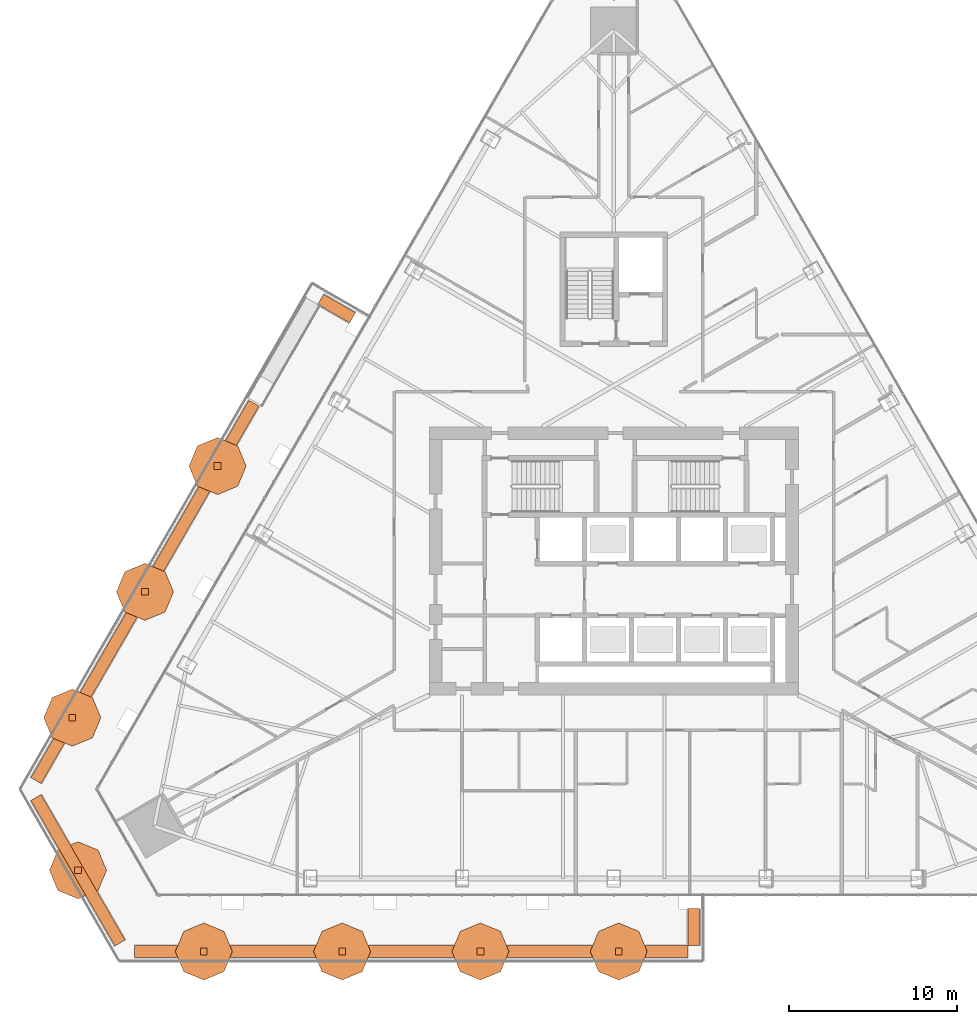
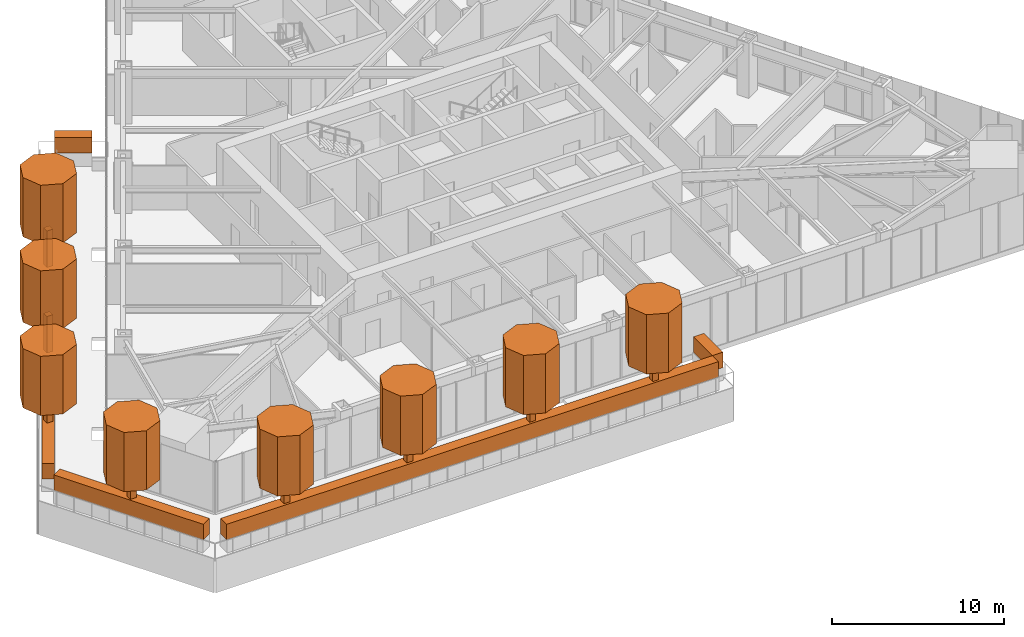
# One storey, part 32 of 32: 21 geographic elements.
"""IFC4 building model written with IfcOpenShell, lengths in metres."""

from ifc_helpers import new_model, si_unit, direction, frame, origin, origin_2d, place, context, subcontext, project, spatial, polyline, rectangle, outline, extrude, material, type_object, element, save


model = new_model("IFC4")

# Units and contexts
model_context = context("Model", 3, precision=1e-05, world=origin(), true_north=direction((0.0, 1.0)))
body_context = subcontext(model_context, "Body", "Model", "MODEL_VIEW")
ifc_project = project(units=[si_unit("LENGTHUNIT", "METRE"), si_unit("AREAUNIT", "SQUARE_METRE"), si_unit("VOLUMEUNIT", "CUBIC_METRE"), si_unit("PLANEANGLEUNIT", "RADIAN"), si_unit("MASSUNIT", "GRAM", prefix="KILO")], contexts=[model_context])

# Site, building, storey
site_placement = place(None, origin())
site = spatial("IfcSite", under=ifc_project, at=site_placement, CompositionType="ELEMENT")
building_placement = place(site_placement, origin())
building = spatial("IfcBuilding", under=site, at=building_placement, Name="Firuza Gate Tower and Library", CompositionType="ELEMENT")
storey_placement = place(building_placement, frame((0.0, 0.0, 163.60009765625)))
storey = spatial("IfcBuildingStorey", under=building, at=storey_placement, Name="L37", CompositionType="ELEMENT", Elevation=163.60009765625)

# Geographic elements
ifc_material_1 = material(Name="Foliage")
geographic_element_type_1 = type_object("IfcGeographicElementType", Name="Planted hedge", PredefinedType="USERDEFINED", material=ifc_material_1)
geographic_element_1_placement = place(storey_placement, frame((58.469970703125, 90.046630859375, 0.89990234375), z_axis=(0.0, 0.0, 1.0), x_axis=(-0.866025403784, 0.5, 0.0)))
element("IfcGeographicElement", 1, at=geographic_element_1_placement, inside=storey, type_object=geographic_element_type_1, Name="Planted hedge", ObjectType="HEDGE", PredefinedType="USERDEFINED", context=body_context, shape_type="SweptSolid", body=[
    extrude(rectangle(XDim=2.199951171875, YDim=0.699951171875, at=origin_2d()), origin(), (0.0, 0.0, 1.0), 1.10009765625),
])
geographic_element_2_placement = place(storey_placement, frame((47.04248046875, 73.15380859375, 0.89990234375), z_axis=(0.0, 0.0, 1.0), x_axis=(-0.5, -0.866025403784, 0.0)))
element("IfcGeographicElement", 2, at=geographic_element_2_placement, inside=storey, type_object=geographic_element_type_1, Name="Planted hedge", ObjectType="HEDGE", PredefinedType="USERDEFINED", context=body_context, shape_type="SweptSolid", body=[
    extrude(rectangle(XDim=25.987060546875, YDim=0.699951171875, at=origin_2d()), origin(), (0.0, 0.0, 1.0), 1.10009765625),
])
geographic_element_3_placement = place(storey_placement, frame((43.05029296875, 56.5537109375, 0.89990234375), z_axis=(0.0, 0.0, 1.0), x_axis=(0.5, -0.866025403784, 0.0)))
element("IfcGeographicElement", 3, at=geographic_element_3_placement, inside=storey, type_object=geographic_element_type_1, Name="Planted hedge", ObjectType="HEDGE", PredefinedType="USERDEFINED", context=body_context, shape_type="SweptSolid", body=[
    extrude(rectangle(XDim=10.018798828125, YDim=0.699951171875, at=origin_2d()), origin(), (0.0, 0.0, 1.0), 1.10009765625),
])
geographic_element_4_placement = place(storey_placement, frame((62.922119140625, 51.711181640625, 0.89990234375), z_axis=(0.0, 0.0, 1.0), x_axis=(1.0, 0.0, 0.0)))
element("IfcGeographicElement", 4, at=geographic_element_4_placement, inside=storey, type_object=geographic_element_type_1, Name="Planted hedge", ObjectType="HEDGE", PredefinedType="USERDEFINED", context=body_context, shape_type="SweptSolid", body=[
    extrude(rectangle(XDim=32.987060546875, YDim=0.699951171875, at=origin_2d()), origin(), (0.0, 0.0, 1.0), 1.10009765625),
])
geographic_element_5_placement = place(storey_placement, frame((79.765869140625, 53.1611328125, 0.89990234375), z_axis=(0.0, 0.0, 1.0), x_axis=(0.0, 1.0, 0.0)))
element("IfcGeographicElement", 5, at=geographic_element_5_placement, inside=storey, type_object=geographic_element_type_1, Name="Planted hedge", ObjectType="HEDGE", PredefinedType="USERDEFINED", context=body_context, shape_type="SweptSolid", body=[
    extrude(rectangle(XDim=2.199951171875, YDim=0.699951171875, at=origin_2d()), origin(), (0.0, 0.0, 1.0), 1.10009765625),
])
ifc_material_2 = material(Name="Foliage")
geographic_element_type_2 = type_object("IfcGeographicElementType", Name="Planted tree canopy", PredefinedType="USERDEFINED", material=ifc_material_2)
placement = place(storey_placement, frame((0.0, 0.0, 3.5)))
element("IfcGeographicElement", 6, at=placement, inside=storey, type_object=geographic_element_type_2, Name="Tree canopy", ObjectType="TREE CANOPY", PredefinedType="USERDEFINED", context=body_context, shape_type="SweptSolid", body=[
    extrude(outline(polyline([(53.073486328125, 80.655517578125), (52.57568359375, 81.857666015625), (51.37353515625, 82.35546875), (50.17138671875, 81.857666015625), (49.673583984375, 80.655517578125), (50.17138671875, 79.453369140625), (51.37353515625, 78.95556640625), (52.57568359375, 79.453369140625), (53.073486328125, 80.655517578125)])), origin(), (0.0, 0.0, 1.0), 4.199951171875),
])
element("IfcGeographicElement", 7, at=placement, inside=storey, type_object=geographic_element_type_2, Name="Tree canopy", ObjectType="TREE CANOPY", PredefinedType="USERDEFINED", context=body_context, shape_type="SweptSolid", body=[
    extrude(outline(polyline([(48.742431640625, 73.15380859375), (48.244384765625, 74.355712890625), (47.04248046875, 74.853759765625), (45.84033203125, 74.355712890625), (45.34228515625, 73.15380859375), (45.84033203125, 71.95166015625), (47.04248046875, 71.45361328125), (48.244384765625, 71.95166015625), (48.742431640625, 73.15380859375)])), origin(), (0.0, 0.0, 1.0), 4.199951171875),
])
element("IfcGeographicElement", 8, at=placement, inside=storey, type_object=geographic_element_type_2, Name="Tree canopy", ObjectType="TREE CANOPY", PredefinedType="USERDEFINED", context=body_context, shape_type="SweptSolid", body=[
    extrude(outline(polyline([(44.4111328125, 65.65185546875), (43.913330078125, 66.85400390625), (42.711181640625, 67.351806640625), (41.509033203125, 66.85400390625), (41.01123046875, 65.65185546875), (41.509033203125, 64.44970703125), (42.711181640625, 63.951904296875), (43.913330078125, 64.44970703125), (44.4111328125, 65.65185546875)])), origin(), (0.0, 0.0, 1.0), 4.199951171875),
])
element("IfcGeographicElement", 9, at=placement, inside=storey, type_object=geographic_element_type_2, Name="Tree canopy", ObjectType="TREE CANOPY", PredefinedType="USERDEFINED", context=body_context, shape_type="SweptSolid", body=[
    extrude(outline(polyline([(44.750244140625, 56.5537109375), (44.25244140625, 57.755859375), (43.05029296875, 58.25390625), (41.84814453125, 57.755859375), (41.350341796875, 56.5537109375), (41.84814453125, 55.351806640625), (43.05029296875, 54.853759765625), (44.25244140625, 55.351806640625), (44.750244140625, 56.5537109375)])), origin(), (0.0, 0.0, 1.0), 4.199951171875),
])
element("IfcGeographicElement", 10, at=placement, inside=storey, type_object=geographic_element_type_2, Name="Tree canopy", ObjectType="TREE CANOPY", PredefinedType="USERDEFINED", context=body_context, shape_type="SweptSolid", body=[
    extrude(outline(polyline([(52.251953125, 51.711181640625), (51.754150390625, 52.913330078125), (50.552001953125, 53.4111328125), (49.35009765625, 52.913330078125), (48.85205078125, 51.711181640625), (49.35009765625, 50.509033203125), (50.552001953125, 50.01123046875), (51.754150390625, 50.509033203125), (52.251953125, 51.711181640625)])), origin(), (0.0, 0.0, 1.0), 4.199951171875),
])
element("IfcGeographicElement", 11, at=placement, inside=storey, type_object=geographic_element_type_2, Name="Tree canopy", ObjectType="TREE CANOPY", PredefinedType="USERDEFINED", context=body_context, shape_type="SweptSolid", body=[
    extrude(outline(polyline([(60.498779296875, 51.711181640625), (60.0009765625, 52.913330078125), (58.798828125, 53.4111328125), (57.5966796875, 52.913330078125), (57.098876953125, 51.711181640625), (57.5966796875, 50.509033203125), (58.798828125, 50.01123046875), (60.0009765625, 50.509033203125), (60.498779296875, 51.711181640625)])), origin(), (0.0, 0.0, 1.0), 4.199951171875),
])
element("IfcGeographicElement", 12, at=placement, inside=storey, type_object=geographic_element_type_2, Name="Tree canopy", ObjectType="TREE CANOPY", PredefinedType="USERDEFINED", context=body_context, shape_type="SweptSolid", body=[
    extrude(outline(polyline([(68.74560546875, 51.711181640625), (68.247802734375, 52.913330078125), (67.045654296875, 53.4111328125), (65.843505859375, 52.913330078125), (65.345703125, 51.711181640625), (65.843505859375, 50.509033203125), (67.045654296875, 50.01123046875), (68.247802734375, 50.509033203125), (68.74560546875, 51.711181640625)])), origin(), (0.0, 0.0, 1.0), 4.199951171875),
])
element("IfcGeographicElement", 13, at=placement, inside=storey, type_object=geographic_element_type_2, Name="Tree canopy", ObjectType="TREE CANOPY", PredefinedType="USERDEFINED", context=body_context, shape_type="SweptSolid", body=[
    extrude(outline(polyline([(76.992431640625, 51.711181640625), (76.494384765625, 52.913330078125), (75.29248046875, 53.4111328125), (74.09033203125, 52.913330078125), (73.592529296875, 51.711181640625), (74.09033203125, 50.509033203125), (75.29248046875, 50.01123046875), (76.494384765625, 50.509033203125), (76.992431640625, 51.711181640625)])), origin(), (0.0, 0.0, 1.0), 4.199951171875),
])
ifc_material_3 = material(Name="Timber", Category="wood")
geographic_element_type_3 = type_object("IfcGeographicElementType", Name="Planted tree trunk", PredefinedType="USERDEFINED", material=ifc_material_3)
for number, where, z_axis, x_axis, name in (
    (14, (51.37353515625, 80.655517578125, 0.89990234375), (0.0, 0.0, 1.0), (1.0, 0.0, 0.0), "Tree trunk"),
    (15, (47.04248046875, 73.15380859375, 0.89990234375), (0.0, 0.0, 1.0), (1.0, 0.0, 0.0), "Tree trunk"),
    (16, (42.711181640625, 65.65185546875, 0.89990234375), (0.0, 0.0, 1.0), (1.0, 0.0, 0.0), "Tree trunk"),
    (17, (43.05029296875, 56.5537109375, 0.89990234375), (0.0, 0.0, 1.0), (1.0, 0.0, 0.0), "Tree trunk"),
    (18, (50.552001953125, 51.711181640625, 0.89990234375), (0.0, 0.0, 1.0), (1.0, 0.0, 0.0), "Tree trunk"),
    (19, (58.798828125, 51.711181640625, 0.89990234375), (0.0, 0.0, 1.0), (1.0, 0.0, 0.0), "Tree trunk"),
    (20, (67.045654296875, 51.711181640625, 0.89990234375), (0.0, 0.0, 1.0), (1.0, 0.0, 0.0), "Tree trunk"),
    (21, (75.29248046875, 51.711181640625, 0.89990234375), (0.0, 0.0, 1.0), (1.0, 0.0, 0.0), "Tree trunk"),
):
    element("IfcGeographicElement", number, at=place(storey_placement, frame(where, z_axis=z_axis, x_axis=x_axis)), inside=storey, type_object=geographic_element_type_3, Name=name, ObjectType="TREE TRUNK", PredefinedType="USERDEFINED", context=body_context, shape_type="SweptSolid", body=[
        extrude(rectangle(XDim=0.39990234375, YDim=0.39990234375, at=origin_2d()), origin(), (0.0, 0.0, 1.0), 2.60009765625),
    ])

save(model, "model.ifc")
